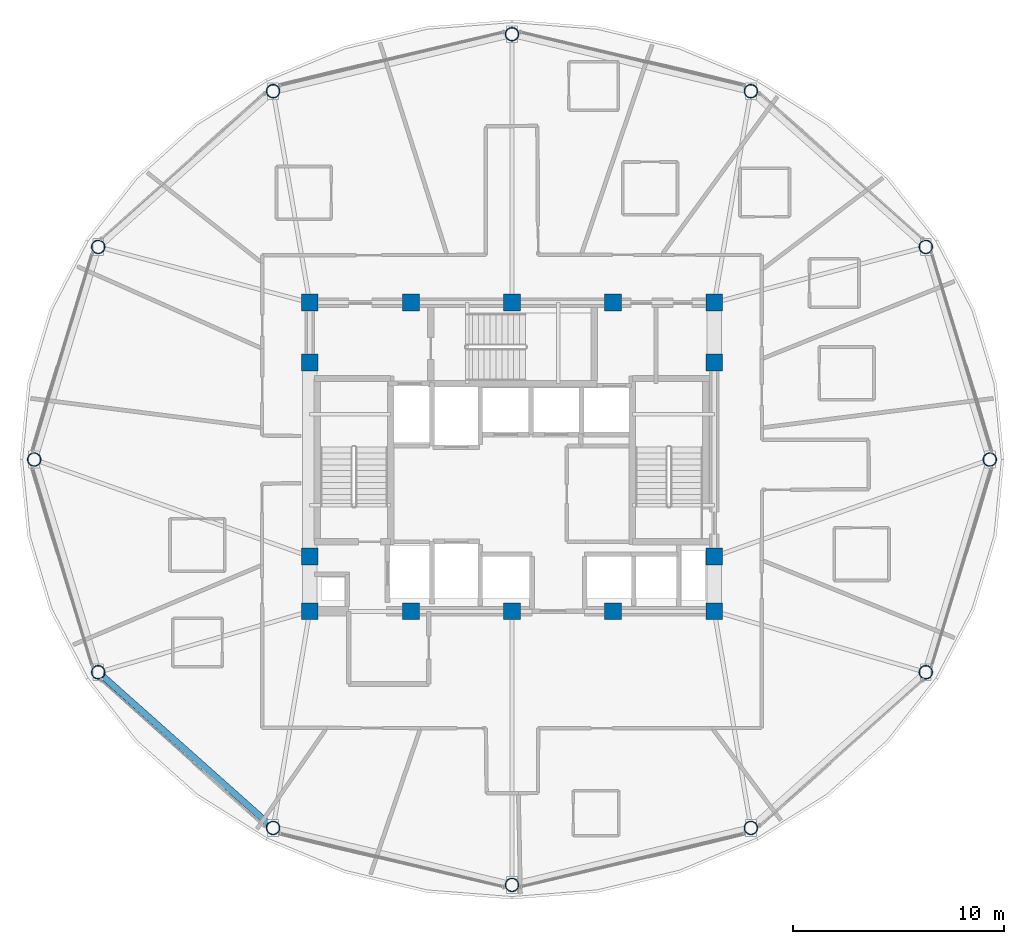
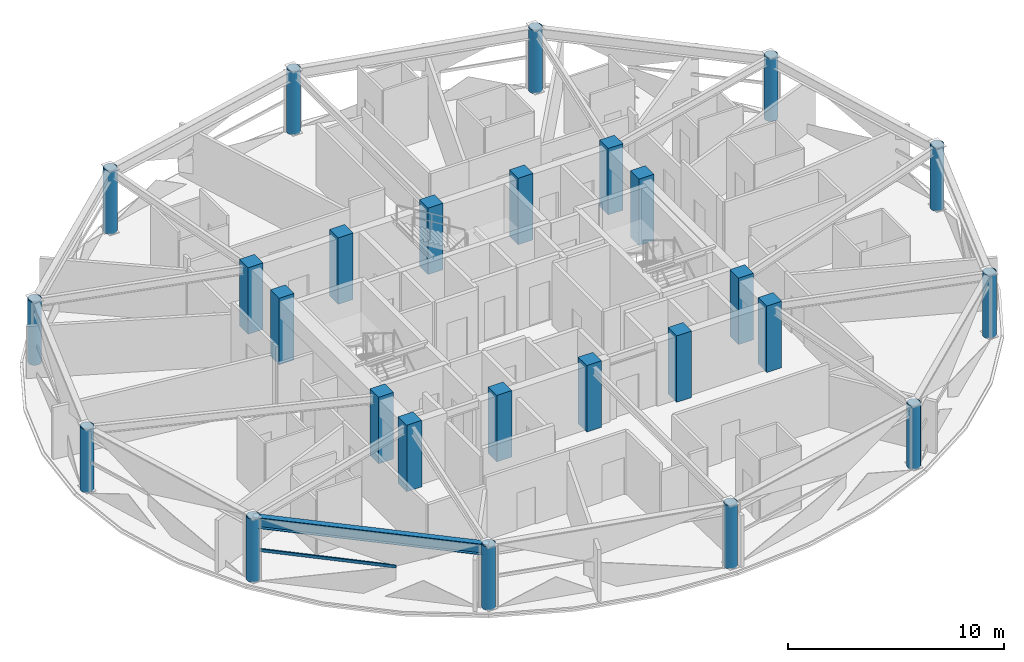
# One storey, part 1 of 30: 26 columns, 1 beam, 1 member, 1 element without a shape of its own.
"""IFC4 building model written with IfcOpenShell, lengths in metres."""

from ifc_helpers import new_model, si_unit, direction, frame, origin, origin_2d, place, context, subcontext, project, spatial, rectangle, hollow_rectangle, hollow_circle, i_section, extrude, material, layer, layer_set, material_profile, profile_set, type_object, element, aggregate, save


model = new_model("IFC4")

# Units and contexts
model_context = context("Model", 3, precision=1e-05, world=origin(), true_north=direction((0.0, 1.0)))
body_context = subcontext(model_context, "Body", "Model", "MODEL_VIEW")
ifc_project = project(units=[si_unit("LENGTHUNIT", "METRE"), si_unit("AREAUNIT", "SQUARE_METRE"), si_unit("VOLUMEUNIT", "CUBIC_METRE"), si_unit("PLANEANGLEUNIT", "RADIAN"), si_unit("MASSUNIT", "GRAM", prefix="KILO")], contexts=[model_context])

# Site, building, storey
site_placement = place(None, origin())
site = spatial("IfcSite", under=ifc_project, at=site_placement, CompositionType="ELEMENT")
building_placement = place(site_placement, origin())
building = spatial("IfcBuilding", under=site, at=building_placement, Name="Vantalir Tower", CompositionType="ELEMENT")
storey_placement = place(building_placement, frame((0.0, 0.0, 193.64990234375)))
storey = spatial("IfcBuildingStorey", under=building, at=storey_placement, Name="L48", CompositionType="ELEMENT", Elevation=193.64990234375)

# Columns
ifc_material_1 = material(Name="Concrete C50/60", Category="concrete")
ifc_material_profile_1 = material_profile(ifc_material_1, rectangle(XDim=0.800048828125, YDim=0.800048828125, at=origin_2d()), Name="Concrete C50/60")
ifc_profile_set_1 = profile_set([ifc_material_profile_1], Name="Concrete C50/60")
column_type_1 = type_object("IfcColumnType", Name="COL-CC-800", PredefinedType="COLUMN", material=ifc_profile_set_1)
for number, where, z_axis, x_axis, name in (
    (1, (21.89990234375, 17.800048828125, 0.0), (0.0, 0.0, 1.0), (1.0, 0.0, 0.0), "L48 Core Column CC01"),
    (2, (26.699951171875, 17.800048828125, 0.0), (0.0, 0.0, 1.0), (1.0, 0.0, 0.0), "L48 Core Column CC02"),
    (3, (31.5, 17.800048828125, 0.0), (0.0, 0.0, 1.0), (1.0, 0.0, 0.0), "L48 Core Column CC03"),
    (4, (36.300048828125, 17.800048828125, 0.0), (0.0, 0.0, 1.0), (1.0, 0.0, 0.0), "L48 Core Column CC04"),
    (5, (41.10009765625, 17.800048828125, 0.0), (0.0, 0.0, 1.0), (1.0, 0.0, 0.0), "L48 Core Column CC05"),
    (6, (21.89990234375, 20.39990234375, 0.0), (0.0, 0.0, 1.0), (1.0, 0.0, 0.0), "L48 Core Column CC06"),
    (7, (21.89990234375, 29.60009765625, 0.0), (0.0, 0.0, 1.0), (1.0, 0.0, 0.0), "L48 Core Column CC07"),
    (8, (41.10009765625, 20.39990234375, 0.0), (0.0, 0.0, 1.0), (1.0, 0.0, 0.0), "L48 Core Column CC08"),
    (9, (41.10009765625, 29.60009765625, 0.0), (0.0, 0.0, 1.0), (1.0, 0.0, 0.0), "L48 Core Column CC09"),
    (10, (21.89990234375, 32.449951171875, 0.0), (0.0, 0.0, 1.0), (1.0, 0.0, 0.0), "L48 Core Column CC10"),
    (11, (26.699951171875, 32.449951171875, 0.0), (0.0, 0.0, 1.0), (1.0, 0.0, 0.0), "L48 Core Column CC11"),
    (12, (31.5, 32.449951171875, 0.0), (0.0, 0.0, 1.0), (1.0, 0.0, 0.0), "L48 Core Column CC12"),
    (13, (36.300048828125, 32.449951171875, 0.0), (0.0, 0.0, 1.0), (1.0, 0.0, 0.0), "L48 Core Column CC13"),
    (14, (41.10009765625, 32.449951171875, 0.0), (0.0, 0.0, 1.0), (1.0, 0.0, 0.0), "L48 Core Column CC14"),
):
    element("IfcColumn", number, at=place(storey_placement, frame(where, z_axis=z_axis, x_axis=x_axis)), inside=storey, type_object=column_type_1, Name=name, PredefinedType="COLUMN", context=body_context, shape_type="SweptSolid", body=[
        extrude(rectangle(XDim=0.800048828125, YDim=0.800048828125, at=origin_2d()), origin(), (0.0, 0.0, 1.0), 3.75),
    ])
ifc_material_2 = material(Name="Steel S460", Category="steel")
ifc_material_profile_2 = material_profile(ifc_material_2, hollow_circle(Radius=0.324951171875, WallThickness=0.030029296875, at=origin_2d()), Name="Steel S460")
ifc_profile_set_2 = profile_set([ifc_material_profile_2], Name="Steel S460")
column_type_2 = type_object("IfcColumnType", Name="COL-RC-650", PredefinedType="COLUMN", material=ifc_profile_set_2)
for number, where, z_axis, x_axis, name in (
    (15, (54.176025390625, 25.0, 0.0), (0.0, 0.0, 1.0), (1.0, 0.0, 0.0), "L48 Perimeter Ring Column RC01"),
    (16, (51.137939453125, 35.093994140625, 0.0), (0.0, 0.0, 1.0), (1.0, 0.0, 0.0), "L48 Perimeter Ring Column RC02"),
    (17, (42.837890625, 42.48291015625, 0.0), (0.0, 0.0, 1.0), (1.0, 0.0, 0.0), "L48 Perimeter Ring Column RC03"),
    (18, (31.5, 45.18798828125, 0.0), (0.0, 0.0, 1.0), (1.0, 0.0, 0.0), "L48 Perimeter Ring Column RC04"),
    (19, (20.162109375, 42.48291015625, 0.0), (0.0, 0.0, 1.0), (1.0, 0.0, 0.0), "L48 Perimeter Ring Column RC05"),
    (20, (11.862060546875, 35.093994140625, 0.0), (0.0, 0.0, 1.0), (1.0, 0.0, 0.0), "L48 Perimeter Ring Column RC06"),
    (21, (8.823974609375, 25.0, 0.0), (0.0, 0.0, 1.0), (1.0, 0.0, 0.0), "L48 Perimeter Ring Column RC07"),
    (22, (11.862060546875, 14.906005859375, 0.0), (0.0, 0.0, 1.0), (1.0, 0.0, 0.0), "L48 Perimeter Ring Column RC08"),
    (23, (20.162109375, 7.51708984375, 0.0), (0.0, 0.0, 1.0), (1.0, 0.0, 0.0), "L48 Perimeter Ring Column RC09"),
    (24, (31.5, 4.81201171875, 0.0), (0.0, 0.0, 1.0), (1.0, 0.0, 0.0), "L48 Perimeter Ring Column RC10"),
    (25, (42.837890625, 7.51708984375, 0.0), (0.0, 0.0, 1.0), (1.0, 0.0, 0.0), "L48 Perimeter Ring Column RC11"),
    (26, (51.137939453125, 14.906005859375, 0.0), (0.0, 0.0, 1.0), (1.0, 0.0, 0.0), "L48 Perimeter Ring Column RC12"),
):
    element("IfcColumn", number, at=place(storey_placement, frame(where, z_axis=z_axis, x_axis=x_axis)), inside=storey, type_object=column_type_2, Name=name, PredefinedType="COLUMN", context=body_context, shape_type="SweptSolid", body=[
        extrude(hollow_circle(Radius=0.324951171875, WallThickness=0.030029296875, at=origin_2d()), origin(), (0.0, 0.0, 1.0), 3.570068359375),
    ])

# Beam
ifc_material_profile_3 = material_profile(ifc_material_2, i_section(OverallWidth=0.306884765625, OverallDepth=0.6201171875, WebThickness=0.01416015625, FlangeThickness=0.023681640625, at=origin_2d()), Name="Steel S460")
ifc_profile_set_3 = profile_set([ifc_material_profile_3], Name="Steel S460")
beam_type = type_object("IfcBeamType", Name="BM-RG-610x305", PredefinedType="USERDEFINED", material=ifc_profile_set_3)
beam_placement = place(storey_placement, frame((11.862060546875, 14.906005859375, 3.260009765625), z_axis=(0.746913346666, -0.664921388265, 0.0), x_axis=(0.664921388265, 0.746913346666, 0.0)))
element("IfcBeam", 27, at=beam_placement, inside=storey, type_object=beam_type, Name="L48 Circumferential Ring Girder 08", ObjectType="GIRDER", PredefinedType="USERDEFINED", context=body_context, shape_type="SweptSolid", body=[
    extrude(i_section(OverallWidth=0.306884765625, OverallDepth=0.6201171875, WebThickness=0.01416015625, FlangeThickness=0.023681640625, at=origin_2d()), origin(), (0.0, 0.0, 1.0), 11.112548828125),
])

# Curtain wall, member
ifc_material_3 = material(Name="Champagne-silver PVDF aluminium and double-silver Low-E glass", Category="aluminium")
ifc_layer = layer(ifc_material_3, 0.2099609375)
ifc_layer_set = layer_set([ifc_layer], Name="Champagne-silver PVDF aluminium and double-silver Low-E glass")
curtain_wall_type = type_object("IfcCurtainWallType", Name="CW-DIAMOND-Z3", PredefinedType="USERDEFINED", material=ifc_layer_set)
curtain_wall_placement = place(storey_placement, origin())
curtain_wall = element("IfcCurtainWall", 28, at=curtain_wall_placement, inside=storey, type_object=curtain_wall_type, Name="L48 Quilted Pyramid-Diamond Curtain Wall S08", ObjectType="UNITISED CURTAIN WALL", PredefinedType="USERDEFINED")
ifc_material_4 = material(Name="Champagne-silver PVDF aluminium 6063-T6", Category="aluminium")
ifc_material_profile_4 = material_profile(ifc_material_4, hollow_rectangle(XDim=0.074951171875, YDim=0.159912109375, WallThickness=0.00390625, at=origin_2d()), Name="Champagne-silver PVDF aluminium 6063-T6")
ifc_profile_set_4 = profile_set([ifc_material_profile_4], Name="Champagne-silver PVDF aluminium 6063-T6")
member_type = type_object("IfcMemberType", Name="CWT-160x75", PredefinedType="USERDEFINED", material=ifc_profile_set_4)
member_placement = place(storey_placement, frame((12.0029296875, 14.5380859375, 1.78515625), z_axis=(0.744119078161, -0.668047002475, 0.0), x_axis=(0.668047002475, 0.744119078161, 0.0)))
member = element("IfcMember", 29, at=member_placement, type_object=member_type, Name="CW-L48-S08 Pyramid Fold Ridge Transom", ObjectType="TRANSOM", PredefinedType="USERDEFINED", context=body_context, shape_type="SweptSolid", body=[
    extrude(hollow_rectangle(XDim=0.074951171875, YDim=0.159912109375, WallThickness=0.00390625, at=origin_2d()), origin(), (0.0, 0.0, 1.0), 6.441162109375),
])
aggregate(curtain_wall, [member])

save(model, "model.ifc")
